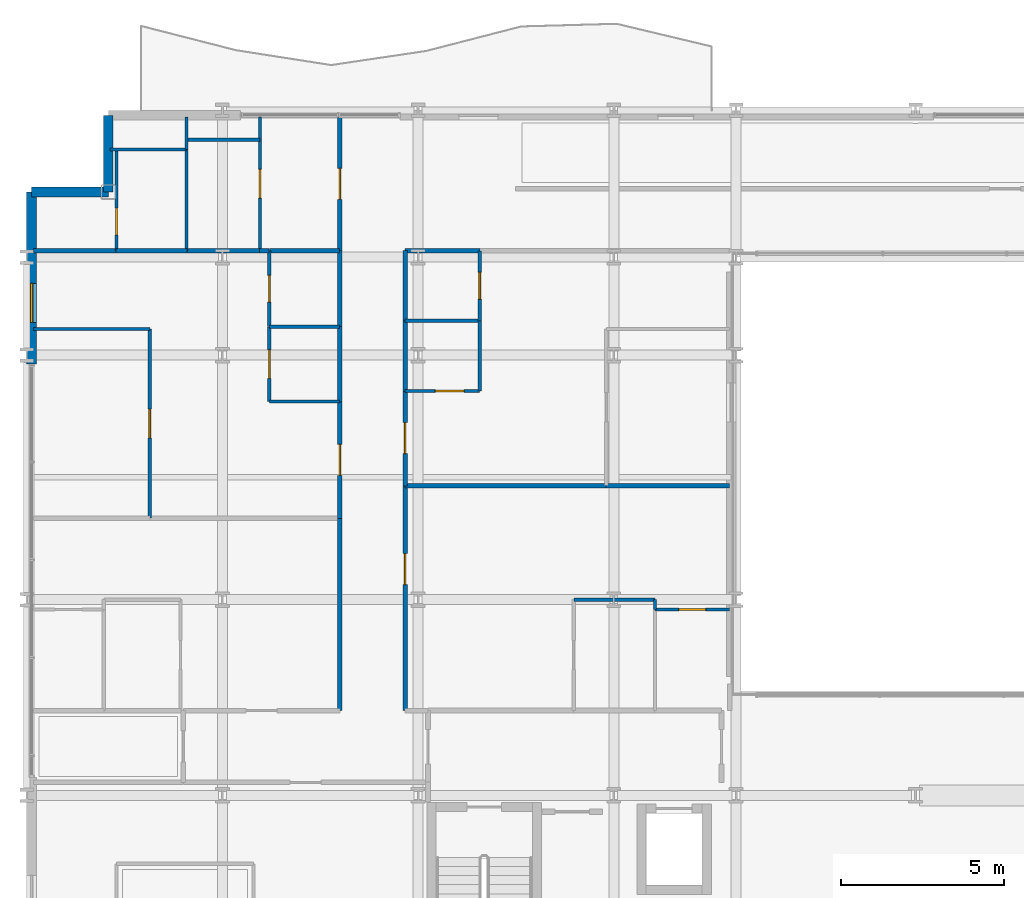
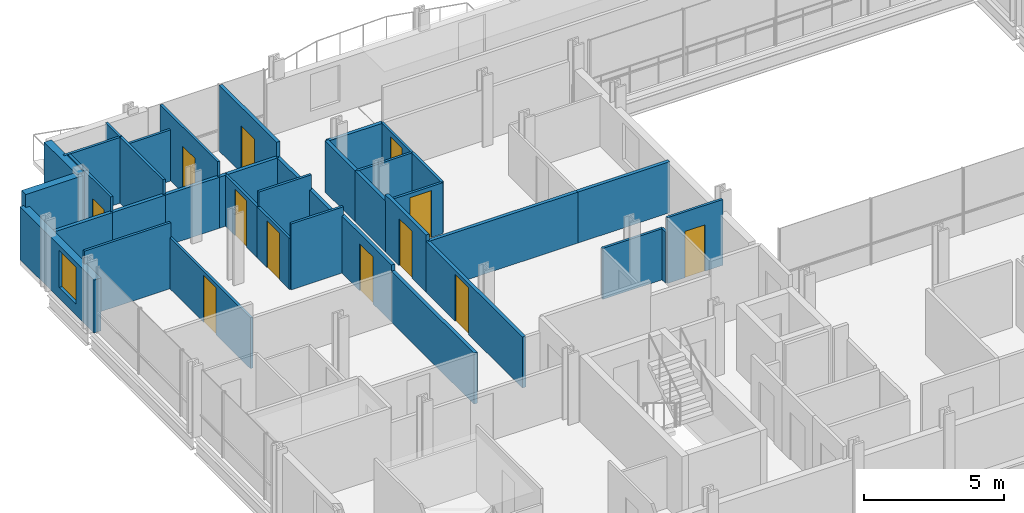
# One storey, part 33 of 41: 39 walls, 12 doors, 1 window, 13 openings.
"""IFC4 building model written with IfcOpenShell, lengths in metres."""

from ifc_helpers import new_model, si_unit, direction, frame, frame_2d, origin, place, context, subcontext, project, spatial, rectangle, extrude, material, layer, layer_set, type_object, element, fill, save


model = new_model("IFC4")

# Units and contexts
model_context = context("Model", 3, precision=1e-05, world=origin(), true_north=direction((0.0, 1.0)))
body_context = subcontext(model_context, "Body", "Model", "MODEL_VIEW")
ifc_project = project(units=[si_unit("LENGTHUNIT", "METRE"), si_unit("AREAUNIT", "SQUARE_METRE"), si_unit("VOLUMEUNIT", "CUBIC_METRE"), si_unit("PLANEANGLEUNIT", "RADIAN"), si_unit("MASSUNIT", "GRAM", prefix="KILO")], contexts=[model_context])

# Site, building, storey
site_placement = place(None, origin())
site = spatial("IfcSite", under=ifc_project, at=site_placement, CompositionType="ELEMENT")
building_placement = place(site_placement, origin())
building = spatial("IfcBuilding", under=site, at=building_placement, Name="Brevholm Reach", CompositionType="ELEMENT")
storey_placement = place(building_placement, frame((0.0, 0.0, 55.89990234375)))
storey = spatial("IfcBuildingStorey", under=building, at=storey_placement, Name="L15", CompositionType="ELEMENT", Elevation=55.89990234375)

# Walls
ifc_material_1 = material(Name="Concrete C40/50", Category="concrete")
ifc_layer_1 = layer(ifc_material_1, 0.300048828125)
ifc_layer_set_1 = layer_set([ifc_layer_1], Name="Concrete C40/50")
wall_type_1 = type_object("IfcWallType", Name="WAL-EXT-300", PredefinedType="STANDARD", material=ifc_layer_set_1)
for number, where, z_axis, x_axis, name in (
    (1, (2.5, 30.85009765625, 0.0), (0.0, 0.0, 1.0), (0.0, -1.0, 0.0), "L15 Facade Wall WAL-L15-CNW1"),
    (2, (2.5, 28.5, 0.0), (0.0, 0.0, 1.0), (-1.0, 0.0, 0.0), "L15 Facade Wall WAL-L15-CNW2"),
):
    element("IfcWall", number, at=place(storey_placement, frame(where, z_axis=z_axis, x_axis=x_axis)), inside=storey, type_object=wall_type_1, Name=name, PredefinedType="STANDARD", context=body_context, shape_type="SweptSolid", body=[
        extrude(rectangle(XDim=2.35009765625, YDim=0.300048828125, at=frame_2d((1.175048828125, 0.0))), origin(), (0.0, 0.0, 1.0), 2.8701171875),
    ])

# Wall, opening, window
wall_1_placement = place(storey_placement, frame((0.14990234375, 28.5, 0.0), z_axis=(0.0, 0.0, 1.0), x_axis=(0.0, -1.0, 0.0)))
wall_1 = element("IfcWall", 3, at=wall_1_placement, inside=storey, type_object=wall_type_1, Name="L15 Facade Wall WAL-L15-W-N", PredefinedType="STANDARD", context=body_context, shape_type="SweptSolid", body=[
    extrude(rectangle(XDim=5.280029296875, YDim=0.300048828125, at=frame_2d((2.64013671875, 0.0))), origin(), (0.0, 0.0, 1.0), 2.3056640625),
])
opening_1_placement = place(wall_1_placement, frame((2.800048828125, 0.0, 0.486083984375)))
opening_1 = element("IfcOpeningElement", 4, at=opening_1_placement, cuts=wall_1, Name="Opening WN-08", PredefinedType="OPENING", context=body_context, shape_type="SweptSolid", body=[
    extrude(rectangle(XDim=1.199951171875, YDim=1.60009765625, at=frame_2d((0.60009765625, 0.800048828125))), frame((0.0, 0.159912109375, 0.0), z_axis=(0.0, -1.0, 0.0), x_axis=(1.0, 0.0, 0.0)), (0.0, 0.0, 1.0), 0.320068359375),
])
ifc_material_2 = material(Name="Dark Anodised Aluminium and Solar-Control IGU Glass", Category="aluminium")
window_type = type_object("IfcWindowType", Name="WIN-RES-1200", PartitioningType="SINGLE_PANEL", PredefinedType="WINDOW", material=ifc_material_2)
window_placement = place(opening_1_placement, origin())
window = element("IfcWindow", 5, at=window_placement, inside=storey, type_object=window_type, Name="L15 Window WIN-L15-WN-1", OverallHeight=1.60009765625, OverallWidth=1.199951171875, PartitioningType="SINGLE_PANEL", PredefinedType="WINDOW", context=body_context, shape_type="SweptSolid", body=[
    extrude(rectangle(XDim=1.199951171875, YDim=1.60009765625, at=frame_2d((0.60009765625, 0.800048828125))), frame((0.0, 0.030029296875, 0.0), z_axis=(0.0, -1.0, 0.0), x_axis=(1.0, 0.0, 0.0)), (0.0, 0.0, 1.0), 0.06005859375),
])
fill(opening_1, window)

# Wall
ifc_material_3 = material(Name="Moisture-Resistant Acoustic Gypsum Stud Partition 100 mm", Category="gypsum")
ifc_layer_2 = layer(ifc_material_3, 0.10009765625)
ifc_layer_set_2 = layer_set([ifc_layer_2], Name="Moisture-Resistant Acoustic Gypsum Stud Partition 100 mm")
wall_type_2 = type_object("IfcWallType", Name="WAL-PRT-100", PredefinedType="PARTITIONING", material=ifc_layer_set_2)
wall_2_placement = place(storey_placement, frame((7.43798828125, 24.3720703125, 0.0), z_axis=(0.0, 0.0, 1.0), x_axis=(1.0, 0.0, 0.0)))
element("IfcWall", 6, at=wall_2_placement, inside=storey, type_object=wall_type_2, Name="L15 Internal Partition 086", PredefinedType="PARTITIONING", context=body_context, shape_type="SweptSolid", body=[
    extrude(rectangle(XDim=2.157958984375, YDim=0.10009765625, at=frame_2d((1.0791015625, 0.0))), origin(), (0.0, 0.0, 1.0), 2.8701171875),
])

# Wall, opening, door
wall_3_placement = place(storey_placement, frame((7.43798828125, 24.3720703125, 0.0), z_axis=(0.0, 0.0, 1.0), x_axis=(0.0, 1.0, 0.0)))
wall_3 = element("IfcWall", 7, at=wall_3_placement, inside=storey, type_object=wall_type_2, Name="L15 Internal Partition 087", PredefinedType="PARTITIONING", context=body_context, shape_type="SweptSolid", body=[
    extrude(rectangle(XDim=2.327880859375, YDim=0.10009765625, at=frame_2d((1.1640625, 0.0))), origin(), (0.0, 0.0, 1.0), 2.224853515625),
])
opening_2_placement = place(wall_3_placement, frame((0.75390625, 0.0, 0.0)))
opening_2 = element("IfcOpeningElement", 8, at=opening_2_placement, cuts=wall_3, Name="Opening ID-03", PredefinedType="OPENING", context=body_context, shape_type="SweptSolid", body=[
    extrude(rectangle(XDim=0.820068359375, YDim=2.02001953125, at=frame_2d((0.41015625, 1.010009765625))), frame((0.0, 0.06005859375, 0.0), z_axis=(0.0, -1.0, 0.0), x_axis=(1.0, 0.0, 0.0)), (0.0, 0.0, 1.0), 0.1201171875),
])
ifc_material_4 = material(Name="Moisture-Resistant Painted Timber Internal Bathroom Door", Category="wood")
door_type_1 = type_object("IfcDoorType", Name="DOR-BATH-820", OperationType="NOTDEFINED", PredefinedType="DOOR", material=ifc_material_4)
door_1_placement = place(opening_2_placement, origin())
door_1 = element("IfcDoor", 9, at=door_1_placement, inside=storey, type_object=door_type_1, Name="L15 Internal Door 035", OperationType="SINGLE_SWING_RIGHT", OverallHeight=2.02001953125, OverallWidth=0.820068359375, PredefinedType="DOOR", context=body_context, shape_type="SweptSolid", body=[
    extrude(rectangle(XDim=0.820068359375, YDim=2.02001953125, at=frame_2d((0.41015625, 1.010009765625))), frame((0.0, 0.02490234375, 0.0), z_axis=(0.0, -1.0, 0.0), x_axis=(1.0, 0.0, 0.0)), (0.0, 0.0, 1.0), 0.050048828125),
])
fill(opening_2, door_1)

# Wall
wall_4_placement = place(storey_placement, frame((7.43798828125, 22.075927734375, 0.0), z_axis=(0.0, 0.0, 1.0), x_axis=(1.0, 0.0, 0.0)))
element("IfcWall", 10, at=wall_4_placement, inside=storey, type_object=wall_type_2, Name="L15 Internal Partition 089", PredefinedType="PARTITIONING", context=body_context, shape_type="SweptSolid", body=[
    extrude(rectangle(XDim=2.157958984375, YDim=0.10009765625, at=frame_2d((1.0791015625, 0.0))), origin(), (0.0, 0.0, 1.0), 2.8701171875),
])

# Wall, opening, door
wall_5_placement = place(storey_placement, frame((7.43798828125, 22.075927734375, 0.0), z_axis=(0.0, 0.0, 1.0), x_axis=(0.0, 1.0, 0.0)))
wall_5 = element("IfcWall", 11, at=wall_5_placement, inside=storey, type_object=wall_type_2, Name="L15 Internal Partition 090", PredefinedType="PARTITIONING", context=body_context, shape_type="SweptSolid", body=[
    extrude(rectangle(XDim=2.2919921875, YDim=0.10009765625, at=frame_2d((1.14599609375, 0.0))), origin(), (0.0, 0.0, 1.0), 2.224853515625),
])
opening_3_placement = place(wall_5_placement, frame((0.7060546875, 0.0, 0.0)))
opening_3 = element("IfcOpeningElement", 12, at=opening_3_placement, cuts=wall_5, Name="Opening ID-01", PredefinedType="OPENING", context=body_context, shape_type="SweptSolid", body=[
    extrude(rectangle(XDim=0.8798828125, YDim=2.0400390625, at=frame_2d((0.43994140625, 1.02001953125))), frame((0.0, 0.06005859375, 0.0), z_axis=(0.0, -1.0, 0.0), x_axis=(1.0, 0.0, 0.0)), (0.0, 0.0, 1.0), 0.1201171875),
])
ifc_material_5 = material(Name="Lacquered Ash Solid-Core Acoustic Internal Door", Category="timber")
door_type_2 = type_object("IfcDoorType", Name="DOR-INT-880", OperationType="NOTDEFINED", PredefinedType="DOOR", material=ifc_material_5)
door_2_placement = place(opening_3_placement, origin())
door_2 = element("IfcDoor", 13, at=door_2_placement, inside=storey, type_object=door_type_2, Name="L15 Internal Door 036", OperationType="SINGLE_SWING_LEFT", OverallHeight=2.0400390625, OverallWidth=0.8798828125, PredefinedType="DOOR", context=body_context, shape_type="SweptSolid", body=[
    extrude(rectangle(XDim=0.8798828125, YDim=2.0400390625, at=frame_2d((0.43994140625, 1.02001953125))), frame((0.0, 0.02490234375, 0.0), z_axis=(0.0, -1.0, 0.0), x_axis=(1.0, 0.0, 0.0)), (0.0, 0.0, 1.0), 0.050048828125),
])
fill(opening_3, door_2)

wall_6_placement = place(storey_placement, frame((3.77197265625, 18.50390625, 0.0), z_axis=(0.0, 0.0, 1.0), x_axis=(0.0, 1.0, 0.0)))
wall_6 = element("IfcWall", 14, at=wall_6_placement, inside=storey, type_object=wall_type_2, Name="L15 Internal Partition 091", PredefinedType="PARTITIONING", context=body_context, shape_type="SweptSolid", body=[
    extrude(rectangle(XDim=5.796142578125, YDim=0.10009765625, at=frame_2d((2.89794921875, 0.0))), origin(), (0.0, 0.0, 1.0), 2.224853515625),
])
opening_4_placement = place(wall_6_placement, frame((2.4580078125, 0.0, 0.0)))
opening_4 = element("IfcOpeningElement", 15, at=opening_4_placement, cuts=wall_6, Name="Opening ID-01", PredefinedType="OPENING", context=body_context, shape_type="SweptSolid", body=[
    extrude(rectangle(XDim=0.8798828125, YDim=2.0400390625, at=frame_2d((0.43994140625, 1.02001953125))), frame((0.0, 0.06005859375, 0.0), z_axis=(0.0, -1.0, 0.0), x_axis=(1.0, 0.0, 0.0)), (0.0, 0.0, 1.0), 0.1201171875),
])
door_3_placement = place(opening_4_placement, origin())
door_3 = element("IfcDoor", 16, at=door_3_placement, inside=storey, type_object=door_type_2, Name="L15 Internal Door 037", OperationType="SINGLE_SWING_RIGHT", OverallHeight=2.0400390625, OverallWidth=0.8798828125, PredefinedType="DOOR", context=body_context, shape_type="SweptSolid", body=[
    extrude(rectangle(XDim=0.8798828125, YDim=2.0400390625, at=frame_2d((0.43994140625, 1.02001953125))), frame((0.0, 0.02490234375, 0.0), z_axis=(0.0, -1.0, 0.0), x_axis=(1.0, 0.0, 0.0)), (0.0, 0.0, 1.0), 0.050048828125),
])
fill(opening_4, door_3)

# Wall
wall_7_placement = place(storey_placement, frame((0.199951171875, 24.300048828125, 0.0), z_axis=(0.0, 0.0, 1.0), x_axis=(1.0, 0.0, 0.0)))
element("IfcWall", 17, at=wall_7_placement, inside=storey, type_object=wall_type_2, Name="L15 Internal Partition 092", PredefinedType="PARTITIONING", context=body_context, shape_type="SweptSolid", body=[
    extrude(rectangle(XDim=3.572021484375, YDim=0.10009765625, at=frame_2d((1.7861328125, 0.0))), origin(), (0.0, 0.0, 1.0), 2.8701171875),
])

# Wall, opening, door
wall_8_placement = place(storey_placement, frame((19.260986328125, 15.699951171875, 0.0), z_axis=(0.0, 0.0, 1.0), x_axis=(1.0, 0.0, 0.0)))
wall_8 = element("IfcWall", 18, at=wall_8_placement, inside=storey, type_object=wall_type_2, Name="L15 Internal Partition 098", PredefinedType="PARTITIONING", context=body_context, shape_type="SweptSolid", body=[
    extrude(rectangle(XDim=2.2890625, YDim=0.10009765625, at=frame_2d((1.14453125, 0.0))), origin(), (0.0, 0.0, 1.0), 2.8701171875),
])
opening_5_placement = place(wall_8_placement, frame((0.734619140625, 0.0, 0.0)))
opening_5 = element("IfcOpeningElement", 19, at=opening_5_placement, cuts=wall_8, Name="Opening ID-03", PredefinedType="OPENING", context=body_context, shape_type="SweptSolid", body=[
    extrude(rectangle(XDim=0.820068359375, YDim=2.02001953125, at=frame_2d((0.41015625, 1.010009765625))), frame((0.0, 0.06005859375, 0.0), z_axis=(0.0, -1.0, 0.0), x_axis=(1.0, 0.0, 0.0)), (0.0, 0.0, 1.0), 0.1201171875),
])
door_4_placement = place(opening_5_placement, origin())
door_4 = element("IfcDoor", 20, at=door_4_placement, inside=storey, type_object=door_type_1, Name="L15 Internal Door 038", OperationType="SINGLE_SWING_LEFT", OverallHeight=2.02001953125, OverallWidth=0.820068359375, PredefinedType="DOOR", context=body_context, shape_type="SweptSolid", body=[
    extrude(rectangle(XDim=0.820068359375, YDim=2.02001953125, at=frame_2d((0.41015625, 1.010009765625))), frame((0.0, 0.02490234375, 0.0), z_axis=(0.0, -1.0, 0.0), x_axis=(1.0, 0.0, 0.0)), (0.0, 0.0, 1.0), 0.050048828125),
])
fill(opening_5, door_4)

# Walls
wall_9_placement = place(storey_placement, frame((19.260986328125, 15.7041015625, 0.0), z_axis=(0.0, 0.0, 1.0), x_axis=(0.0, 1.0, 0.0)))
element("IfcWall", 21, at=wall_9_placement, inside=storey, type_object=wall_type_2, Name="L15 Internal Partition 099", PredefinedType="PARTITIONING", context=body_context, shape_type="SweptSolid", body=[
    extrude(rectangle(XDim=0.2958984375, YDim=0.10009765625, at=frame_2d((0.14794921875, 0.0))), origin(), (0.0, 0.0, 1.0), 2.224853515625),
])
wall_10_placement = place(storey_placement, frame((16.77294921875, 16.0, 0.0), z_axis=(0.0, 0.0, 1.0), x_axis=(1.0, 0.0, 0.0)))
element("IfcWall", 22, at=wall_10_placement, inside=storey, type_object=wall_type_2, Name="L15 Internal Partition 100", PredefinedType="PARTITIONING", context=body_context, shape_type="SweptSolid", body=[
    extrude(rectangle(XDim=2.488037109375, YDim=0.10009765625, at=frame_2d((1.244140625, 0.0))), origin(), (0.0, 0.0, 1.0), 2.224853515625),
])
wall_11_placement = place(storey_placement, frame((11.60400390625, 24.550048828125, 0.0), z_axis=(0.0, 0.0, 1.0), x_axis=(1.0, 0.0, 0.0)))
element("IfcWall", 23, at=wall_11_placement, inside=storey, type_object=wall_type_2, Name="L15 Internal Partition 104", PredefinedType="PARTITIONING", context=body_context, shape_type="SweptSolid", body=[
    extrude(rectangle(XDim=2.284912109375, YDim=0.10009765625, at=frame_2d((1.142578125, 0.0))), origin(), (0.0, 0.0, 1.0), 2.224853515625),
])

# Wall, opening, door
wall_12_placement = place(storey_placement, frame((13.888916015625, 24.550048828125, 0.0), z_axis=(0.0, 0.0, 1.0), x_axis=(0.0, 1.0, 0.0)))
wall_12 = element("IfcWall", 24, at=wall_12_placement, inside=storey, type_object=wall_type_2, Name="L15 Internal Partition 105", PredefinedType="PARTITIONING", context=body_context, shape_type="SweptSolid", body=[
    extrude(rectangle(XDim=2.14599609375, YDim=0.10009765625, at=frame_2d((1.072998046875, 0.0))), origin(), (0.0, 0.0, 1.0), 2.224853515625),
])
opening_6_placement = place(wall_12_placement, frame((0.6630859375, 0.0, 0.0)))
opening_6 = element("IfcOpeningElement", 25, at=opening_6_placement, cuts=wall_12, Name="Opening ID-03", PredefinedType="OPENING", context=body_context, shape_type="SweptSolid", body=[
    extrude(rectangle(XDim=0.820068359375, YDim=2.02001953125, at=frame_2d((0.41015625, 1.010009765625))), frame((0.0, 0.06005859375, 0.0), z_axis=(0.0, -1.0, 0.0), x_axis=(1.0, 0.0, 0.0)), (0.0, 0.0, 1.0), 0.1201171875),
])
door_5_placement = place(opening_6_placement, origin())
door_5 = element("IfcDoor", 26, at=door_5_placement, inside=storey, type_object=door_type_1, Name="L15 Internal Door 040", OperationType="SINGLE_SWING_LEFT", OverallHeight=2.02001953125, OverallWidth=0.820068359375, PredefinedType="DOOR", context=body_context, shape_type="SweptSolid", body=[
    extrude(rectangle(XDim=0.820068359375, YDim=2.02001953125, at=frame_2d((0.41015625, 1.010009765625))), frame((0.0, 0.02490234375, 0.0), z_axis=(0.0, -1.0, 0.0), x_axis=(1.0, 0.0, 0.0)), (0.0, 0.0, 1.0), 0.050048828125),
])
fill(opening_6, door_5)

wall_13_placement = place(storey_placement, frame((11.60400390625, 22.39990234375, 0.0), z_axis=(0.0, 0.0, 1.0), x_axis=(1.0, 0.0, 0.0)))
wall_13 = element("IfcWall", 27, at=wall_13_placement, inside=storey, type_object=wall_type_2, Name="L15 Internal Partition 106", PredefinedType="PARTITIONING", context=body_context, shape_type="SweptSolid", body=[
    extrude(rectangle(XDim=2.284912109375, YDim=0.10009765625, at=frame_2d((1.142578125, 0.0))), origin(), (0.0, 0.0, 1.0), 2.224853515625),
])
opening_7_placement = place(wall_13_placement, frame((0.922607421875, 0.0, 0.0)))
opening_7 = element("IfcOpeningElement", 28, at=opening_7_placement, cuts=wall_13, Name="Opening ID-01", PredefinedType="OPENING", context=body_context, shape_type="SweptSolid", body=[
    extrude(rectangle(XDim=0.8798828125, YDim=2.0400390625, at=frame_2d((0.43994140625, 1.02001953125))), frame((0.0, 0.06005859375, 0.0), z_axis=(0.0, -1.0, 0.0), x_axis=(1.0, 0.0, 0.0)), (0.0, 0.0, 1.0), 0.1201171875),
])
door_6_placement = place(opening_7_placement, origin())
door_6 = element("IfcDoor", 29, at=door_6_placement, inside=storey, type_object=door_type_2, Name="L15 Internal Door 041", OperationType="SINGLE_SWING_RIGHT", OverallHeight=2.0400390625, OverallWidth=0.8798828125, PredefinedType="DOOR", context=body_context, shape_type="SweptSolid", body=[
    extrude(rectangle(XDim=0.8798828125, YDim=2.0400390625, at=frame_2d((0.43994140625, 1.02001953125))), frame((0.0, 0.02490234375, 0.0), z_axis=(0.0, -1.0, 0.0), x_axis=(1.0, 0.0, 0.0)), (0.0, 0.0, 1.0), 0.050048828125),
])
fill(opening_7, door_6)

# Walls
wall_14_placement = place(storey_placement, frame((13.888916015625, 22.39990234375, 0.0), z_axis=(0.0, 0.0, 1.0), x_axis=(0.0, 1.0, 0.0)))
element("IfcWall", 30, at=wall_14_placement, inside=storey, type_object=wall_type_2, Name="L15 Internal Partition 107", PredefinedType="PARTITIONING", context=body_context, shape_type="SweptSolid", body=[
    extrude(rectangle(XDim=2.14599609375, YDim=0.10009765625, at=frame_2d((1.072998046875, 0.0))), origin(), (0.0, 0.0, 1.0), 2.224853515625),
])
wall_15_placement = place(storey_placement, frame((4.89990234375, 26.7041015625, 0.0), z_axis=(0.0, 0.0, 1.0), x_axis=(0.0, 1.0, 0.0)))
element("IfcWall", 31, at=wall_15_placement, inside=storey, type_object=wall_type_2, Name="L15 Internal Partition 142", PredefinedType="PARTITIONING", context=body_context, shape_type="SweptSolid", body=[
    extrude(rectangle(XDim=3.095947265625, YDim=0.10009765625, at=frame_2d((1.5478515625, 0.0))), origin(), (0.0, 0.0, 1.0), 2.8701171875),
])
wall_16_placement = place(storey_placement, frame((2.550048828125, 29.800048828125, 0.0), z_axis=(0.0, 0.0, 1.0), x_axis=(1.0, 0.0, 0.0)))
element("IfcWall", 32, at=wall_16_placement, inside=storey, type_object=wall_type_2, Name="L15 Internal Partition 143", PredefinedType="PARTITIONING", context=body_context, shape_type="SweptSolid", body=[
    extrude(rectangle(XDim=2.349853515625, YDim=0.10009765625, at=frame_2d((1.1748046875, 0.0))), origin(), (0.0, 0.0, 1.0), 2.8701171875),
])

# Wall, opening, door
wall_17_placement = place(storey_placement, frame((2.75, 26.7041015625, 0.0), z_axis=(0.0, 0.0, 1.0), x_axis=(0.0, 1.0, 0.0)))
wall_17 = element("IfcWall", 33, at=wall_17_placement, inside=storey, type_object=wall_type_2, Name="L15 Internal Partition 144", PredefinedType="PARTITIONING", context=body_context, shape_type="SweptSolid", body=[
    extrude(rectangle(XDim=3.095947265625, YDim=0.10009765625, at=frame_2d((1.5478515625, 0.0))), origin(), (0.0, 0.0, 1.0), 2.8701171875),
])
opening_8_placement = place(wall_17_placement, frame((0.47802734375, 0.0, 0.0)))
opening_8 = element("IfcOpeningElement", 34, at=opening_8_placement, cuts=wall_17, Name="Opening ID-03", PredefinedType="OPENING", context=body_context, shape_type="SweptSolid", body=[
    extrude(rectangle(XDim=0.820068359375, YDim=2.02001953125, at=frame_2d((0.41015625, 1.010009765625))), frame((0.0, 0.06005859375, 0.0), z_axis=(0.0, -1.0, 0.0), x_axis=(1.0, 0.0, 0.0)), (0.0, 0.0, 1.0), 0.1201171875),
])
door_7_placement = place(opening_8_placement, origin())
door_7 = element("IfcDoor", 35, at=door_7_placement, inside=storey, type_object=door_type_1, Name="L15 Internal Door 053", OperationType="SINGLE_SWING_RIGHT", OverallHeight=2.02001953125, OverallWidth=0.820068359375, PredefinedType="DOOR", context=body_context, shape_type="SweptSolid", body=[
    extrude(rectangle(XDim=0.820068359375, YDim=2.02001953125, at=frame_2d((0.41015625, 1.010009765625))), frame((0.0, 0.02490234375, 0.0), z_axis=(0.0, -1.0, 0.0), x_axis=(1.0, 0.0, 0.0)), (0.0, 0.0, 1.0), 0.050048828125),
])
fill(opening_8, door_7)

wall_18_placement = place(storey_placement, frame((7.14990234375, 26.7041015625, 0.0), z_axis=(0.0, 0.0, 1.0), x_axis=(0.0, 1.0, 0.0)))
wall_18 = element("IfcWall", 36, at=wall_18_placement, inside=storey, type_object=wall_type_2, Name="L15 Internal Partition 145", PredefinedType="PARTITIONING", context=body_context, shape_type="SweptSolid", body=[
    extrude(rectangle(XDim=4.095947265625, YDim=0.10009765625, at=frame_2d((2.0478515625, 0.0))), origin(), (0.0, 0.0, 1.0), 2.8701171875),
])
opening_9_placement = place(wall_18_placement, frame((1.60791015625, 0.0, 0.0)))
opening_9 = element("IfcOpeningElement", 37, at=opening_9_placement, cuts=wall_18, Name="Opening ID-01", PredefinedType="OPENING", context=body_context, shape_type="SweptSolid", body=[
    extrude(rectangle(XDim=0.8798828125, YDim=2.0400390625, at=frame_2d((0.43994140625, 1.02001953125))), frame((0.0, 0.06005859375, 0.0), z_axis=(0.0, -1.0, 0.0), x_axis=(1.0, 0.0, 0.0)), (0.0, 0.0, 1.0), 0.1201171875),
])
door_8_placement = place(opening_9_placement, origin())
door_8 = element("IfcDoor", 38, at=door_8_placement, inside=storey, type_object=door_type_2, Name="L15 Internal Door 054", OperationType="SINGLE_SWING_LEFT", OverallHeight=2.0400390625, OverallWidth=0.8798828125, PredefinedType="DOOR", context=body_context, shape_type="SweptSolid", body=[
    extrude(rectangle(XDim=0.8798828125, YDim=2.0400390625, at=frame_2d((0.43994140625, 1.02001953125))), frame((0.0, 0.02490234375, 0.0), z_axis=(0.0, -1.0, 0.0), x_axis=(1.0, 0.0, 0.0)), (0.0, 0.0, 1.0), 0.050048828125),
])
fill(opening_9, door_8)

# Walls
wall_19_placement = place(storey_placement, frame((4.89990234375, 30.10009765625, 0.0), z_axis=(0.0, 0.0, 1.0), x_axis=(1.0, 0.0, 0.0)))
element("IfcWall", 39, at=wall_19_placement, inside=storey, type_object=wall_type_2, Name="L15 Internal Partition 146", PredefinedType="PARTITIONING", context=body_context, shape_type="SweptSolid", body=[
    extrude(rectangle(XDim=2.25, YDim=0.10009765625, at=frame_2d((1.125, 0.0))), origin(), (0.0, 0.0, 1.0), 2.224853515625),
])
wall_20_placement = place(storey_placement, frame((4.89990234375, 29.803955078125, 0.0), z_axis=(0.0, 0.0, 1.0), x_axis=(0.0, 1.0, 0.0)))
element("IfcWall", 40, at=wall_20_placement, inside=storey, type_object=wall_type_2, Name="L15 Internal Partition 147", PredefinedType="PARTITIONING", context=body_context, shape_type="SweptSolid", body=[
    extrude(rectangle(XDim=0.99609375, YDim=0.10009765625, at=frame_2d((0.498046875, 0.0))), origin(), (0.0, 0.0, 1.0), 2.8701171875),
])
ifc_material_6 = material(Name="Twin-Stud Acoustic Fire-Rated Gypsum Partition 140 mm", Category="gypsum")
ifc_layer_3 = layer(ifc_material_6, 0.139892578125)
ifc_layer_set_3 = layer_set([ifc_layer_3], Name="Twin-Stud Acoustic Fire-Rated Gypsum Partition 140 mm")
wall_type_3 = type_object("IfcWallType", Name="WAL-PRT-140", PredefinedType="PARTITIONING", material=ifc_layer_set_3)
wall_21_placement = place(storey_placement, frame((9.60009765625, 12.60400390625, 0.0), z_axis=(0.0, 0.0, 1.0), x_axis=(0.0, 1.0, 0.0)))
element("IfcWall", 41, at=wall_21_placement, inside=storey, type_object=wall_type_3, Name="L15 Internal Partition 034", PredefinedType="PARTITIONING", context=body_context, shape_type="SweptSolid", body=[
    extrude(rectangle(XDim=5.9072265625, YDim=0.139892578125, at=frame_2d((2.95361328125, 0.0))), origin(), (0.0, 0.0, 1.0), 2.224853515625),
])
wall_22_placement = place(storey_placement, frame((9.60009765625, 24.360595703125, 0.0), z_axis=(0.0, 0.0, 1.0), x_axis=(0.0, 1.0, 0.0)))
element("IfcWall", 42, at=wall_22_placement, inside=storey, type_object=wall_type_3, Name="L15 Internal Partition 035", PredefinedType="PARTITIONING", context=body_context, shape_type="SweptSolid", body=[
    extrude(rectangle(XDim=2.3505859375, YDim=0.139892578125, at=frame_2d((1.17529296875, 0.0))), origin(), (0.0, 0.0, 1.0), 2.224853515625),
])
wall_23_placement = place(storey_placement, frame((9.60009765625, 22.064697265625, 0.0), z_axis=(0.0, 0.0, 1.0), x_axis=(0.0, 1.0, 0.0)))
element("IfcWall", 43, at=wall_23_placement, inside=storey, type_object=wall_type_3, Name="L15 Internal Partition 036", PredefinedType="PARTITIONING", context=body_context, shape_type="SweptSolid", body=[
    extrude(rectangle(XDim=2.314697265625, YDim=0.139892578125, at=frame_2d((1.1572265625, 0.0))), origin(), (0.0, 0.0, 1.0), 2.224853515625),
])

# Wall, opening, door
wall_24_placement = place(storey_placement, frame((9.60009765625, 18.49267578125, 0.0), z_axis=(0.0, 0.0, 1.0), x_axis=(0.0, 1.0, 0.0)))
wall_24 = element("IfcWall", 44, at=wall_24_placement, inside=storey, type_object=wall_type_3, Name="L15 Internal Partition 037", PredefinedType="PARTITIONING", context=body_context, shape_type="SweptSolid", body=[
    extrude(rectangle(XDim=3.590576171875, YDim=0.139892578125, at=frame_2d((1.79541015625, 0.0))), origin(), (0.0, 0.0, 1.0), 2.489990234375),
])
opening_10_placement = place(wall_24_placement, frame((1.3203125, 0.0, 0.0)))
opening_10 = element("IfcOpeningElement", 45, at=opening_10_placement, cuts=wall_24, Name="Opening ID-30", PredefinedType="OPENING", context=body_context, shape_type="SweptSolid", body=[
    extrude(rectangle(XDim=0.949951171875, YDim=2.050048828125, at=frame_2d((0.47509765625, 1.02490234375))), frame((0.0, 0.079833984375, 0.0), z_axis=(0.0, -1.0, 0.0), x_axis=(1.0, 0.0, 0.0)), (0.0, 0.0, 1.0), 0.159912109375),
])
ifc_material_7 = material(Name="European Oak Veneered Solid-Core Fire Entrance Door", Category="timber")
door_type_3 = type_object("IfcDoorType", Name="DOR-FLT-FD30S", OperationType="NOTDEFINED", PredefinedType="DOOR", material=ifc_material_7)
door_9_placement = place(opening_10_placement, origin())
door_9 = element("IfcDoor", 46, at=door_9_placement, inside=storey, type_object=door_type_3, Name="L15 Internal Door 018", OperationType="SINGLE_SWING_LEFT", OverallHeight=2.050048828125, OverallWidth=0.949951171875, PredefinedType="DOOR", context=body_context, shape_type="SweptSolid", body=[
    extrude(rectangle(XDim=0.949951171875, YDim=2.050048828125, at=frame_2d((0.47509765625, 1.02490234375))), frame((0.0, 0.02490234375, 0.0), z_axis=(0.0, -1.0, 0.0), x_axis=(1.0, 0.0, 0.0)), (0.0, 0.0, 1.0), 0.050048828125),
])
fill(opening_10, door_9)

wall_25_placement = place(storey_placement, frame((11.60009765625, 12.60400390625, 0.0), z_axis=(0.0, 0.0, 1.0), x_axis=(0.0, 1.0, 0.0)))
wall_25 = element("IfcWall", 47, at=wall_25_placement, inside=storey, type_object=wall_type_3, Name="L15 Internal Partition 038", PredefinedType="PARTITIONING", context=body_context, shape_type="SweptSolid", body=[
    extrude(rectangle(XDim=6.9072265625, YDim=0.139892578125, at=frame_2d((3.45361328125, 0.0))), origin(), (0.0, 0.0, 1.0), 2.224853515625),
])
opening_11_placement = place(wall_25_placement, frame((3.858642578125, 0.0, 0.0)))
opening_11 = element("IfcOpeningElement", 48, at=opening_11_placement, cuts=wall_25, Name="Opening ID-30", PredefinedType="OPENING", context=body_context, shape_type="SweptSolid", body=[
    extrude(rectangle(XDim=0.949951171875, YDim=2.050048828125, at=frame_2d((0.47509765625, 1.02490234375))), frame((0.0, 0.079833984375, 0.0), z_axis=(0.0, -1.0, 0.0), x_axis=(1.0, 0.0, 0.0)), (0.0, 0.0, 1.0), 0.159912109375),
])
door_10_placement = place(opening_11_placement, origin())
door_10 = element("IfcDoor", 49, at=door_10_placement, inside=storey, type_object=door_type_3, Name="L15 Internal Door 019", OperationType="SINGLE_SWING_RIGHT", OverallHeight=2.050048828125, OverallWidth=0.949951171875, PredefinedType="DOOR", context=body_context, shape_type="SweptSolid", body=[
    extrude(rectangle(XDim=0.949951171875, YDim=2.050048828125, at=frame_2d((0.47509765625, 1.02490234375))), frame((0.0, 0.02490234375, 0.0), z_axis=(0.0, -1.0, 0.0), x_axis=(1.0, 0.0, 0.0)), (0.0, 0.0, 1.0), 0.050048828125),
])
fill(opening_11, door_10)

# Walls
wall_26_placement = place(storey_placement, frame((11.60009765625, 24.538818359375, 0.0), z_axis=(0.0, 0.0, 1.0), x_axis=(0.0, 1.0, 0.0)))
element("IfcWall", 50, at=wall_26_placement, inside=storey, type_object=wall_type_3, Name="L15 Internal Partition 039", PredefinedType="PARTITIONING", context=body_context, shape_type="SweptSolid", body=[
    extrude(rectangle(XDim=2.16845703125, YDim=0.139892578125, at=frame_2d((1.084228515625, 0.0))), origin(), (0.0, 0.0, 1.0), 2.224853515625),
])
wall_27_placement = place(storey_placement, frame((11.60009765625, 22.388671875, 0.0), z_axis=(0.0, 0.0, 1.0), x_axis=(0.0, 1.0, 0.0)))
element("IfcWall", 51, at=wall_27_placement, inside=storey, type_object=wall_type_3, Name="L15 Internal Partition 040", PredefinedType="PARTITIONING", context=body_context, shape_type="SweptSolid", body=[
    extrude(rectangle(XDim=2.168701171875, YDim=0.139892578125, at=frame_2d((1.08447265625, 0.0))), origin(), (0.0, 0.0, 1.0), 2.224853515625),
])

# Wall, opening, door
wall_28_placement = place(storey_placement, frame((11.60009765625, 19.49267578125, 0.0), z_axis=(0.0, 0.0, 1.0), x_axis=(0.0, 1.0, 0.0)))
wall_28 = element("IfcWall", 52, at=wall_28_placement, inside=storey, type_object=wall_type_3, Name="L15 Internal Partition 041", PredefinedType="PARTITIONING", context=body_context, shape_type="SweptSolid", body=[
    extrude(rectangle(XDim=2.91455078125, YDim=0.139892578125, at=frame_2d((1.457275390625, 0.0))), origin(), (0.0, 0.0, 1.0), 2.489990234375),
])
opening_12_placement = place(wall_28_placement, frame((0.982421875, 0.0, 0.0)))
opening_12 = element("IfcOpeningElement", 53, at=opening_12_placement, cuts=wall_28, Name="Opening ID-30", PredefinedType="OPENING", context=body_context, shape_type="SweptSolid", body=[
    extrude(rectangle(XDim=0.949951171875, YDim=2.050048828125, at=frame_2d((0.47509765625, 1.02490234375))), frame((0.0, 0.079833984375, 0.0), z_axis=(0.0, -1.0, 0.0), x_axis=(1.0, 0.0, 0.0)), (0.0, 0.0, 1.0), 0.159912109375),
])
door_11_placement = place(opening_12_placement, origin())
door_11 = element("IfcDoor", 54, at=door_11_placement, inside=storey, type_object=door_type_3, Name="L15 Internal Door 020", OperationType="SINGLE_SWING_LEFT", OverallHeight=2.050048828125, OverallWidth=0.949951171875, PredefinedType="DOOR", context=body_context, shape_type="SweptSolid", body=[
    extrude(rectangle(XDim=0.949951171875, YDim=2.050048828125, at=frame_2d((0.47509765625, 1.02490234375))), frame((0.0, 0.02490234375, 0.0), z_axis=(0.0, -1.0, 0.0), x_axis=(1.0, 0.0, 0.0)), (0.0, 0.0, 1.0), 0.050048828125),
])
fill(opening_12, door_11)

wall_29_placement = place(storey_placement, frame((9.60009765625, 26.692626953125, 0.0), z_axis=(0.0, 0.0, 1.0), x_axis=(0.0, 1.0, 0.0)))
wall_29 = element("IfcWall", 55, at=wall_29_placement, inside=storey, type_object=wall_type_3, Name="L15 Internal Partition 042", PredefinedType="PARTITIONING", context=body_context, shape_type="SweptSolid", body=[
    extrude(rectangle(XDim=4.107421875, YDim=0.139892578125, at=frame_2d((2.0537109375, 0.0))), origin(), (0.0, 0.0, 1.0), 2.8701171875),
])
opening_13_placement = place(wall_29_placement, frame((1.57861328125, 0.0, 0.0)))
opening_13 = element("IfcOpeningElement", 56, at=opening_13_placement, cuts=wall_29, Name="Opening ID-30", PredefinedType="OPENING", context=body_context, shape_type="SweptSolid", body=[
    extrude(rectangle(XDim=0.949951171875, YDim=2.050048828125, at=frame_2d((0.47509765625, 1.02490234375))), frame((0.0, 0.079833984375, 0.0), z_axis=(0.0, -1.0, 0.0), x_axis=(1.0, 0.0, 0.0)), (0.0, 0.0, 1.0), 0.159912109375),
])
door_12_placement = place(opening_13_placement, origin())
door_12 = element("IfcDoor", 57, at=door_12_placement, inside=storey, type_object=door_type_3, Name="L15 Internal Door 021", OperationType="SINGLE_SWING_RIGHT", OverallHeight=2.050048828125, OverallWidth=0.949951171875, PredefinedType="DOOR", context=body_context, shape_type="SweptSolid", body=[
    extrude(rectangle(XDim=0.949951171875, YDim=2.050048828125, at=frame_2d((0.47509765625, 1.02490234375))), frame((0.0, 0.02490234375, 0.0), z_axis=(0.0, -1.0, 0.0), x_axis=(1.0, 0.0, 0.0)), (0.0, 0.0, 1.0), 0.050048828125),
])
fill(opening_13, door_12)

# Walls
wall_30_placement = place(storey_placement, frame((11.60400390625, 26.699951171875, 0.0), z_axis=(0.0, 0.0, 1.0), x_axis=(1.0, 0.0, 0.0)))
element("IfcWall", 58, at=wall_30_placement, inside=storey, type_object=wall_type_3, Name="L15 Internal Partition 052", PredefinedType="PARTITIONING", context=body_context, shape_type="SweptSolid", body=[
    extrude(rectangle(XDim=2.29638671875, YDim=0.139892578125, at=frame_2d((1.148193359375, 0.0))), origin(), (0.0, 0.0, 1.0), 2.224853515625),
])
wall_31_placement = place(storey_placement, frame((7.43798828125, 26.699951171875, 0.0), z_axis=(0.0, 0.0, 1.0), x_axis=(1.0, 0.0, 0.0)))
element("IfcWall", 59, at=wall_31_placement, inside=storey, type_object=wall_type_3, Name="L15 Internal Partition 088", PredefinedType="PARTITIONING", context=body_context, shape_type="SweptSolid", body=[
    extrude(rectangle(XDim=2.157958984375, YDim=0.139892578125, at=frame_2d((1.0791015625, 0.0))), origin(), (0.0, 0.0, 1.0), 2.224853515625),
])
wall_32_placement = place(storey_placement, frame((2.73876953125, 26.699951171875, 0.0), z_axis=(0.0, 0.0, 1.0), x_axis=(1.0, 0.0, 0.0)))
element("IfcWall", 60, at=wall_32_placement, inside=storey, type_object=wall_type_3, Name="L15 Internal Partition 093", PredefinedType="PARTITIONING", context=body_context, shape_type="SweptSolid", body=[
    extrude(rectangle(XDim=2.172607421875, YDim=0.139892578125, at=frame_2d((1.08642578125, 0.0))), origin(), (0.0, 0.0, 1.0), 2.224853515625),
])
wall_33_placement = place(storey_placement, frame((4.892578125, 26.699951171875, 0.0), z_axis=(0.0, 0.0, 1.0), x_axis=(1.0, 0.0, 0.0)))
element("IfcWall", 61, at=wall_33_placement, inside=storey, type_object=wall_type_3, Name="L15 Internal Partition 094", PredefinedType="PARTITIONING", context=body_context, shape_type="SweptSolid", body=[
    extrude(rectangle(XDim=2.268798828125, YDim=0.139892578125, at=frame_2d((1.13427734375, 0.0))), origin(), (0.0, 0.0, 1.0), 2.224853515625),
])
wall_34_placement = place(storey_placement, frame((7.142578125, 26.699951171875, 0.0), z_axis=(0.0, 0.0, 1.0), x_axis=(1.0, 0.0, 0.0)))
element("IfcWall", 62, at=wall_34_placement, inside=storey, type_object=wall_type_3, Name="L15 Internal Partition 095", PredefinedType="PARTITIONING", context=body_context, shape_type="SweptSolid", body=[
    extrude(rectangle(XDim=0.29150390625, YDim=0.139892578125, at=frame_2d((0.145751953125, 0.0))), origin(), (0.0, 0.0, 1.0), 2.224853515625),
])
wall_35_placement = place(storey_placement, frame((0.199951171875, 26.699951171875, 0.0), z_axis=(0.0, 0.0, 1.0), x_axis=(1.0, 0.0, 0.0)))
element("IfcWall", 63, at=wall_35_placement, inside=storey, type_object=wall_type_3, Name="L15 Internal Partition 096", PredefinedType="PARTITIONING", context=body_context, shape_type="SweptSolid", body=[
    extrude(rectangle(XDim=2.557373046875, YDim=0.139892578125, at=frame_2d((1.27880859375, 0.0))), origin(), (0.0, 0.0, 1.0), 2.224853515625),
])
wall_36_placement = place(storey_placement, frame((17.7578125, 19.5, 0.0), z_axis=(0.0, 0.0, 1.0), x_axis=(1.0, 0.0, 0.0)))
element("IfcWall", 64, at=wall_36_placement, inside=storey, type_object=wall_type_3, Name="L15 Internal Partition 102", PredefinedType="PARTITIONING", context=body_context, shape_type="SweptSolid", body=[
    extrude(rectangle(XDim=3.792236328125, YDim=0.139892578125, at=frame_2d((1.89599609375, 0.0))), origin(), (0.0, 0.0, 1.0), 2.224853515625),
])
wall_37_placement = place(storey_placement, frame((11.60400390625, 19.5, 0.0), z_axis=(0.0, 0.0, 1.0), x_axis=(1.0, 0.0, 0.0)))
element("IfcWall", 65, at=wall_37_placement, inside=storey, type_object=wall_type_3, Name="L15 Internal Partition 103", PredefinedType="PARTITIONING", context=body_context, shape_type="SweptSolid", body=[
    extrude(rectangle(XDim=6.17236328125, YDim=0.139892578125, at=frame_2d((3.086181640625, 0.0))), origin(), (0.0, 0.0, 1.0), 2.224853515625),
])

save(model, "model.ifc")
